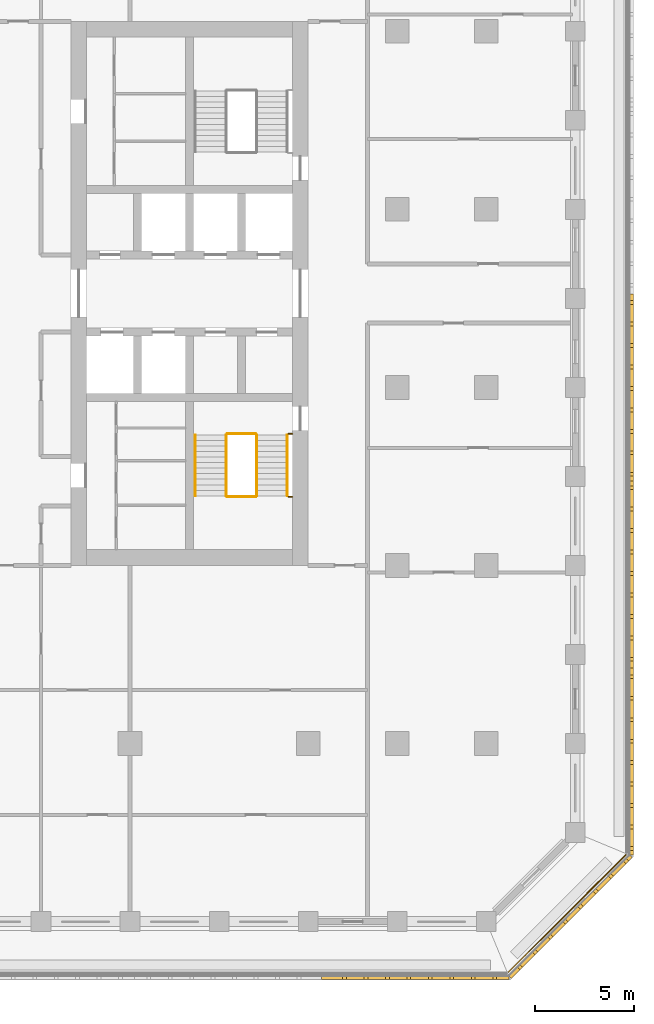
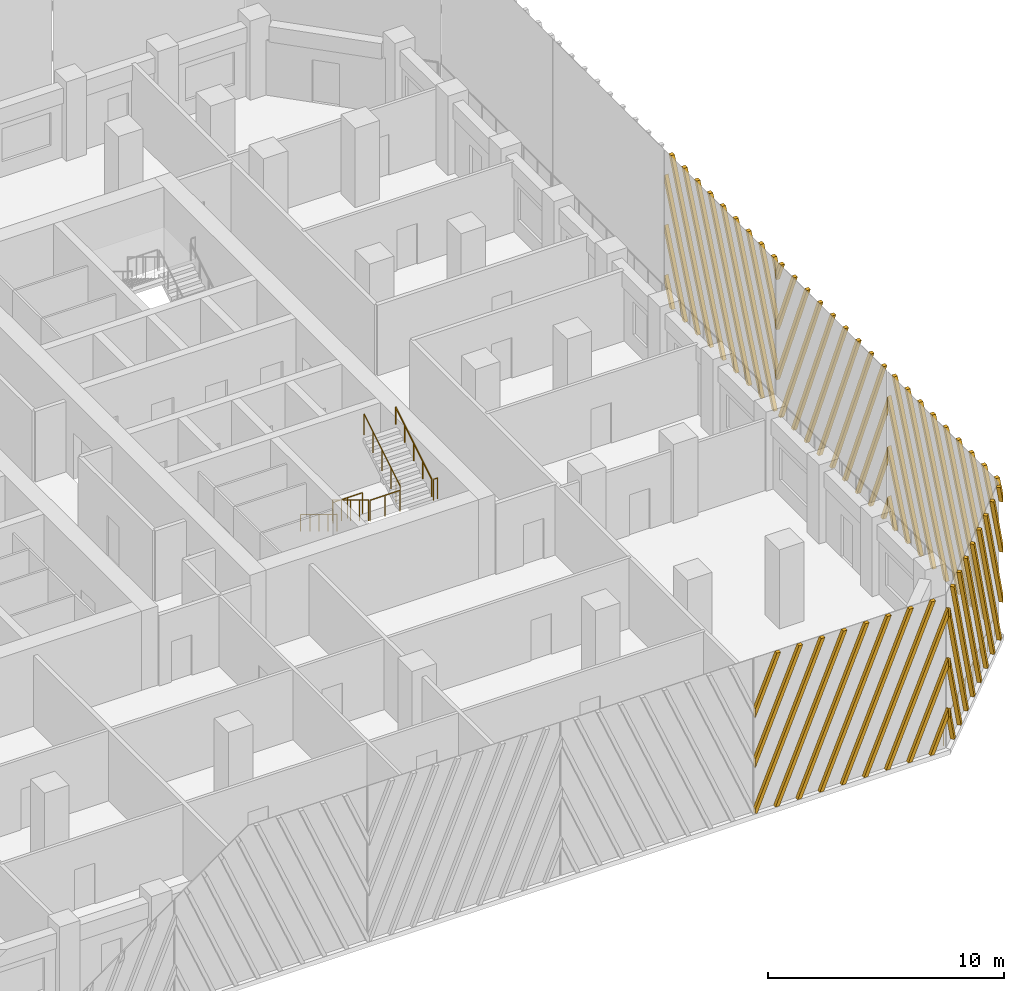
# One storey, part 12 of 17: 9 railings, 5 shading devices.
"""IFC4 building model written with IfcOpenShell, lengths in metres."""

import ifcopenshell
import ifcopenshell.guid

model = None  # the IFC model being written
_history = None  # IfcOwnerHistory: only IFC2X3 demands one
_inside = {}  # id of a spatial element -> (the spatial element, [elements in it])
_under = {}  # id of a project, library or spatial element -> (it, [spatial elements below it])
_declared = {}  # id of a project -> (the project, [libraries it declares])
_typed = {}  # id of a type object -> (the type object, [elements of that type])
_made_of = {}  # id of a material, layer set ... -> (it, [elements and type objects made of it])


def new_model(schema):
    """Start an empty IFC model of exactly this schema.

    Asked for "IFC4X3", IfcOpenShell would pick the latest addendum, in which some entities
    have other attributes; the version numbers below select the first issue.
    IFC2X3 requires an IfcOwnerHistory on every rooted entity: one is made here for all.
    """
    global model, _history
    if schema == "IFC4X3":
        model = ifcopenshell.file(schema_version=(4, 3, 0, 0))
    else:
        model = ifcopenshell.file(schema=schema)
    _inside.clear()
    _under.clear()
    _declared.clear()
    _typed.clear()
    _made_of.clear()
    _history = None
    if model.schema == "IFC2X3":
        org = make("IfcOrganization", Name="unknown")
        user = make(
            "IfcPersonAndOrganization",
            ThePerson=make("IfcPerson", FamilyName="unknown"),
            TheOrganization=org,
        )
        app = make(
            "IfcApplication",
            ApplicationDeveloper=org,
            Version="unknown",
            ApplicationFullName="unknown",
            ApplicationIdentifier="unknown",
        )
        _history = make(
            "IfcOwnerHistory",
            OwningUser=user,
            OwningApplication=app,
            ChangeAction="ADDED",
            CreationDate=0,
        )
    return model


def make(cls, **values):
    """One entity of the class cls with the attributes given. An attribute that is None is left unset."""
    return model.create_entity(
        cls, **{name: value for name, value in values.items() if value is not None}
    )


def rooted(cls, **values):
    """An entity with a GlobalId (a new one), such as an element, a storey or a relation."""
    return make(cls, GlobalId=ifcopenshell.guid.new(), OwnerHistory=_history, **values)


def si_unit(unit_type, name, prefix=None):
    """IfcSIUnit, for example si_unit("LENGTHUNIT", "METRE", prefix="MILLI")."""
    return make("IfcSIUnit", UnitType=unit_type, Prefix=prefix, Name=name)


def assignment(units):
    """IfcUnitAssignment: the units of a project."""
    return None if units is None else make("IfcUnitAssignment", Units=units)


def point(xyz):
    """IfcCartesianPoint."""
    return None if xyz is None else make("IfcCartesianPoint", Coordinates=xyz)


def direction(xyz):
    """IfcDirection."""
    return None if xyz is None else make("IfcDirection", DirectionRatios=xyz)


def frame(location, z_axis=None, x_axis=None):
    """IfcAxis2Placement3D, a coordinate frame: its origin and axes. An axis left out is left unset."""
    return make(
        "IfcAxis2Placement3D",
        Location=point(location),
        Axis=direction(z_axis),
        RefDirection=direction(x_axis),
    )


def frame_2d(location, x_axis=None):
    """IfcAxis2Placement2D, a coordinate frame in the plane: its origin and x axis."""
    return make(
        "IfcAxis2Placement2D", Location=point(location), RefDirection=direction(x_axis)
    )


def origin():
    """The frame at (0, 0, 0) with its axes left unset."""
    return frame((0.0, 0.0, 0.0))


def origin_2d():
    """The frame at (0, 0) in the plane with its x axis left unset."""
    return frame_2d((0.0, 0.0))


def place(relative_to, where):
    """IfcLocalPlacement: puts the frame where relative to a parent placement (None: the world)."""
    return make(
        "IfcLocalPlacement", PlacementRelTo=relative_to, RelativePlacement=where
    )


def context(
    kind, dimensions, precision=None, world=None, true_north=None, identifier=None
):
    """IfcGeometricRepresentationContext, for example the 3D "Model" context."""
    return make(
        "IfcGeometricRepresentationContext",
        ContextIdentifier=identifier,
        ContextType=kind,
        CoordinateSpaceDimension=dimensions,
        Precision=precision,
        WorldCoordinateSystem=world,
        TrueNorth=true_north,
    )


def subcontext(parent, identifier, kind, view, scale=None):
    """IfcGeometricRepresentationSubContext, for example "Body" below "Model"."""
    return make(
        "IfcGeometricRepresentationSubContext",
        ContextIdentifier=identifier,
        ContextType=kind,
        ParentContext=parent,
        TargetScale=scale,
        TargetView=view,
    )


def project(units=None, contexts=None):
    """IfcProject with its units and contexts."""
    return rooted(
        "IfcProject",
        Name="project",
        RepresentationContexts=contexts,
        UnitsInContext=assignment(units),
    )


def spatial(cls, under=None, at=None, **own):
    """A site, building, storey or space (cls), placed at a placement, below another one or the project."""
    s = rooted(cls, ObjectPlacement=at, **own)
    if under is not None:
        _under.setdefault(under.id(), (under, []))[1].append(s)
    return s


def polyline(points):
    """IfcPolyline through the points."""
    return make("IfcPolyline", Points=[point(p) for p in points])


def profile(cls, at=None, kind="AREA", **sizes):
    """A parametric profile (cls). Its sizes go by their IFC names, for example OverallWidth=200.0."""
    return make(cls, ProfileType=kind, Position=at, **sizes)


def circle(**sizes):
    """IfcCircleProfileDef."""
    return profile("IfcCircleProfileDef", **sizes)


def outline(outer, holes=None, kind="AREA"):
    """IfcArbitraryClosedProfileDef: a profile drawn as a closed curve; with holes, ...WithVoids."""
    if holes is None:
        return make("IfcArbitraryClosedProfileDef", ProfileType=kind, OuterCurve=outer)
    return make(
        "IfcArbitraryProfileDefWithVoids",
        ProfileType=kind,
        OuterCurve=outer,
        InnerCurves=holes,
    )


def extrude(swept, where, along, depth):
    """IfcExtrudedAreaSolid: the profile swept, set in the frame where, extruded along a direction by depth."""
    return make(
        "IfcExtrudedAreaSolid",
        SweptArea=swept,
        Position=where,
        ExtrudedDirection=direction(along),
        Depth=depth,
    )


def shape(context_of_items, identifier, shape_type, items):
    """IfcShapeRepresentation: the items that make up one representation, for example the "Body"."""
    return make(
        "IfcShapeRepresentation",
        ContextOfItems=context_of_items,
        RepresentationIdentifier=identifier,
        RepresentationType=shape_type,
        Items=items,
    )


def source(mapping_origin, context_of_items, identifier, shape_type, items):
    """IfcRepresentationMap: a shape defined once, which mapped items show again and again."""
    return make(
        "IfcRepresentationMap",
        MappingOrigin=mapping_origin,
        MappedRepresentation=shape(context_of_items, identifier, shape_type, items),
    )


def transform(
    local_origin,
    x_axis=None,
    y_axis=None,
    z_axis=None,
    scale=None,
    scale2=None,
    scale3=None,
    uniform=True,
):
    """IfcCartesianTransformationOperator3D, or its non-uniform kind. x_axis, y_axis, z_axis: its Axis1, 2, 3."""
    if uniform:
        return make(
            "IfcCartesianTransformationOperator3D",
            Axis1=direction(x_axis),
            Axis2=direction(y_axis),
            LocalOrigin=point(local_origin),
            Scale=scale,
            Axis3=direction(z_axis),
        )
    return make(
        "IfcCartesianTransformationOperator3DnonUniform",
        Axis1=direction(x_axis),
        Axis2=direction(y_axis),
        LocalOrigin=point(local_origin),
        Scale=scale,
        Axis3=direction(z_axis),
        Scale2=scale2,
        Scale3=scale3,
    )


def mapped(mapping_source, mapping_target):
    """IfcMappedItem: shows the shape of a source again, moved by a transform."""
    return make(
        "IfcMappedItem", MappingSource=mapping_source, MappingTarget=mapping_target
    )


def material(Name=None, Category=None):
    """IfcMaterial."""
    return make("IfcMaterial", Name=Name, Category=Category)


def made_of(thing, what):
    """Note that an element or type object is made of a material, layer set ...; save() writes the relation."""
    if what is not None:
        _made_of.setdefault(what.id(), (what, []))[1].append(thing)
    return thing


def type_object(cls, material=None, **own):
    """A type object (cls), such as IfcWallType, which elements share."""
    return made_of(rooted(cls, **own), material)


def element(
    cls,
    number,
    at=None,
    inside=None,
    cuts=None,
    type_object=None,
    material=None,
    context=None,
    identifier="Body",
    shape_type=None,
    held_by="IfcProductDefinitionShape",
    body=None,
    shapes=None,
    **own,
):
    """One element of the class cls, such as IfcWall. Its Tag is "e" and its number.

    at: its placement. inside: the storey or other place that contains it. cuts: it is an
    opening in that element (IfcRelVoidsElement). A single representation is given by context,
    identifier, shape_type and body (its items); several are given by shapes. held_by: the class
    of the entity that holds the representations. save() writes the other relations.
    """
    e = rooted(cls, Tag="e%d" % number, ObjectPlacement=at, **own)
    if body is not None:
        shapes = [shape(context, identifier, shape_type, body)]
    if shapes is not None:
        e.Representation = make(held_by, Representations=shapes)
    if inside is not None:
        _inside.setdefault(inside.id(), (inside, []))[1].append(e)
    if cuts is not None:
        rooted(
            "IfcRelVoidsElement", RelatingBuildingElement=cuts, RelatedOpeningElement=e
        )
    if type_object is not None:
        _typed.setdefault(type_object.id(), (type_object, []))[1].append(e)
    return made_of(e, material)


def aggregate(whole, parts):
    """IfcRelAggregates: a whole, such as a stair, and the parts it consists of."""
    return rooted("IfcRelAggregates", RelatingObject=whole, RelatedObjects=parts)


def save(model, path):
    """Write the relations noted so far, then the file.

    IfcRelAggregates (storeys below a building ...), IfcRelContainedInSpatialStructure (elements
    in a storey), IfcRelDefinesByType, IfcRelAssociatesMaterial and IfcRelDeclares: one each for
    every whole, place, type object, material and project.
    """
    for whole, parts in _under.values():
        aggregate(whole, parts)
    for where, things in _inside.values():
        rooted(
            "IfcRelContainedInSpatialStructure",
            RelatedElements=things,
            RelatingStructure=where,
        )
    for kind, things in _typed.values():
        rooted("IfcRelDefinesByType", RelatedObjects=things, RelatingType=kind)
    for what, things in _made_of.values():
        rooted("IfcRelAssociatesMaterial", RelatedObjects=things, RelatingMaterial=what)
    for by, libraries in _declared.values():
        rooted("IfcRelDeclares", RelatingContext=by, RelatedDefinitions=libraries)
    model.write(path)


model = new_model("IFC4")

# Units and contexts
model_context = context("Model", 3, precision=1e-05, world=origin(), true_north=direction((0.0, 1.0)))
body_context = subcontext(model_context, "Body", "Model", "MODEL_VIEW")
ifc_project = project(units=[si_unit("LENGTHUNIT", "METRE"), si_unit("AREAUNIT", "SQUARE_METRE"), si_unit("VOLUMEUNIT", "CUBIC_METRE"), si_unit("PLANEANGLEUNIT", "RADIAN"), si_unit("MASSUNIT", "GRAM", prefix="KILO")], contexts=[model_context])

# Site, building, storey
site_placement = place(None, origin())
site = spatial("IfcSite", under=ifc_project, at=site_placement, CompositionType="ELEMENT")
building_placement = place(site_placement, origin())
building = spatial("IfcBuilding", under=site, at=building_placement, Name="Corbel Stack Research Tower", CompositionType="ELEMENT")
storey_placement = place(building_placement, frame((0.0, 0.0, 207.89990234375)))
storey = spatial("IfcBuildingStorey", under=building, at=storey_placement, Name="L47", CompositionType="ELEMENT", Elevation=207.89990234375)

# Railings
ifc_material_1 = material(Name="Steel S355", Category="steel")
railing_type_1 = type_object("IfcRailingType", Name="Stair guard 1100", PredefinedType="GUARDRAIL", material=ifc_material_1)
railing_1_placement = place(storey_placement, frame((13.85009765625, -2.39990234375, 0.1708984375)))
element("IfcRailing", 1, at=railing_1_placement, inside=storey, type_object=railing_type_1, Name="L47 ST-E1 stair guard 1", PredefinedType="GUARDRAIL", context=body_context, shape_type="SweptSolid", body=[
    extrude(circle(Radius=0.02392578125, at=origin_2d()), frame((0.0, 0.0, 1.076171875), z_axis=(0.0, -0.853666305674, 0.52082035152), x_axis=(1.0, 0.0, 0.0)), (0.0, 0.0, 1.0), 3.608154296875),
    extrude(circle(Radius=0.02099609375, at=origin_2d()), origin(), (0.0, 0.0, 1.0), 1.052001953125),
    extrude(circle(Radius=0.02099609375, at=origin_2d()), frame((0.0, -0.77001953125, 0.4697265625)), (0.0, 0.0, 1.0), 1.052001953125),
    extrude(circle(Radius=0.02099609375, at=origin_2d()), frame((0.0, -1.5400390625, 0.939453125)), (0.0, 0.0, 1.0), 1.052001953125),
    extrude(circle(Radius=0.02099609375, at=origin_2d()), frame((0.0, -2.31005859375, 1.409423828125)), (0.0, 0.0, 1.0), 1.052001953125),
    extrude(circle(Radius=0.02099609375, at=origin_2d()), frame((0.0, -3.080078125, 1.879150390625)), (0.0, 0.0, 1.0), 1.052001953125),
])
railing_2_placement = place(storey_placement, frame((13.89990234375, -5.530029296875, 2.050048828125)))
element("IfcRailing", 2, at=railing_2_placement, inside=storey, type_object=railing_type_1, Name="L47 ST-E1 stair guard 2", PredefinedType="GUARDRAIL", context=body_context, shape_type="SweptSolid", body=[
    extrude(circle(Radius=0.02392578125, at=origin_2d()), frame((0.0, 0.0, 1.076171875), z_axis=(1.0, 0.0, 0.0), x_axis=(0.0, 1.0, 0.0)), (0.0, 0.0, 1.0), 1.4501953125),
    extrude(circle(Radius=0.02099609375, at=origin_2d()), origin(), (0.0, 0.0, 1.0), 1.052001953125),
    extrude(circle(Radius=0.02099609375, at=origin_2d()), frame((0.72509765625, 0.0, 0.0)), (0.0, 0.0, 1.0), 1.052001953125),
    extrude(circle(Radius=0.02099609375, at=origin_2d()), frame((1.4501953125, 0.0, 0.0)), (0.0, 0.0, 1.0), 1.052001953125),
])
railing_3_placement = place(storey_placement, frame((17.0, -5.530029296875, 2.050048828125)))
element("IfcRailing", 3, at=railing_3_placement, inside=storey, type_object=railing_type_1, Name="L47 ST-E1 stair guard 3", PredefinedType="GUARDRAIL", context=body_context, shape_type="SweptSolid", body=[
    extrude(circle(Radius=0.02392578125, at=origin_2d()), frame((0.0, 0.0, 1.076171875), z_axis=(1.0, 0.0, 0.0), x_axis=(0.0, 1.0, 0.0)), (0.0, 0.0, 1.0), 0.199951171875),
    extrude(circle(Radius=0.02099609375, at=origin_2d()), origin(), (0.0, 0.0, 1.0), 1.052001953125),
    extrude(circle(Radius=0.02099609375, at=origin_2d()), frame((0.199951171875, 0.0, 0.0)), (0.0, 0.0, 1.0), 1.052001953125),
])
railing_4_placement = place(storey_placement, frame((15.39990234375, -5.47998046875, 2.220947265625)))
element("IfcRailing", 4, at=railing_4_placement, inside=storey, type_object=railing_type_1, Name="L47 ST-E1 stair guard 4", PredefinedType="GUARDRAIL", context=body_context, shape_type="SweptSolid", body=[
    extrude(circle(Radius=0.02392578125, at=origin_2d()), frame((0.0, 0.0, 1.076171875), z_axis=(0.0, 0.853666305674, 0.52082035152), x_axis=(-1.0, 0.0, 0.0)), (0.0, 0.0, 1.0), 3.608154296875),
    extrude(circle(Radius=0.02099609375, at=origin_2d()), origin(), (0.0, 0.0, 1.0), 1.052001953125),
    extrude(circle(Radius=0.02099609375, at=origin_2d()), frame((0.0, 0.77001953125, 0.4697265625)), (0.0, 0.0, 1.0), 1.052001953125),
    extrude(circle(Radius=0.02099609375, at=origin_2d()), frame((0.0, 1.5400390625, 0.939453125)), (0.0, 0.0, 1.0), 1.052001953125),
    extrude(circle(Radius=0.02099609375, at=origin_2d()), frame((0.0, 2.31005859375, 1.409423828125)), (0.0, 0.0, 1.0), 1.052001953125),
    extrude(circle(Radius=0.02099609375, at=origin_2d()), frame((0.0, 3.080078125, 1.879150390625)), (0.0, 0.0, 1.0), 1.052001953125),
])
railing_5_placement = place(storey_placement, frame((13.89990234375, -2.35009765625, 0.0)))
element("IfcRailing", 5, at=railing_5_placement, inside=storey, type_object=railing_type_1, Name="L47 ST-E1 stair guard 5", PredefinedType="GUARDRAIL", context=body_context, shape_type="SweptSolid", body=[
    extrude(circle(Radius=0.02392578125, at=origin_2d()), frame((0.0, 0.0, 1.076171875), z_axis=(1.0, 0.0, 0.0), x_axis=(0.0, 1.0, 0.0)), (0.0, 0.0, 1.0), 1.4501953125),
    extrude(circle(Radius=0.02099609375, at=origin_2d()), origin(), (0.0, 0.0, 1.0), 1.052001953125),
    extrude(circle(Radius=0.02099609375, at=origin_2d()), frame((0.72509765625, 0.0, 0.0)), (0.0, 0.0, 1.0), 1.052001953125),
    extrude(circle(Radius=0.02099609375, at=origin_2d()), frame((1.4501953125, 0.0, 0.0)), (0.0, 0.0, 1.0), 1.052001953125),
])
railing_6_placement = place(storey_placement, frame((17.0, -2.35009765625, 0.0)))
element("IfcRailing", 6, at=railing_6_placement, inside=storey, type_object=railing_type_1, Name="L47 ST-E1 stair guard 6", PredefinedType="GUARDRAIL", context=body_context, shape_type="SweptSolid", body=[
    extrude(circle(Radius=0.02392578125, at=origin_2d()), frame((0.0, 0.0, 1.076171875), z_axis=(1.0, 0.0, 0.0), x_axis=(0.0, 1.0, 0.0)), (0.0, 0.0, 1.0), 0.199951171875),
    extrude(circle(Radius=0.02099609375, at=origin_2d()), origin(), (0.0, 0.0, 1.0), 1.052001953125),
    extrude(circle(Radius=0.02099609375, at=origin_2d()), frame((0.199951171875, 0.0, 0.0)), (0.0, 0.0, 1.0), 1.052001953125),
])
ifc_material_2 = material(Name="Steel S355", Category="steel")
railing_type_2 = type_object("IfcRailingType", Name="Stair handrail 900", PredefinedType="HANDRAIL", material=ifc_material_2)
railing_7_placement = place(storey_placement, frame((12.300048828125, -2.39990234375, 0.1708984375)))
element("IfcRailing", 7, at=railing_7_placement, inside=storey, type_object=railing_type_2, Name="L47 ST-E1 stair handrail 1", PredefinedType="HANDRAIL", context=body_context, shape_type="SweptSolid", body=[
    extrude(circle(Radius=0.02392578125, at=origin_2d()), frame((0.0, 0.0, 0.8759765625), z_axis=(0.0, -0.853666305674, 0.52082035152), x_axis=(1.0, 0.0, 0.0)), (0.0, 0.0, 1.0), 3.608154296875),
    extrude(circle(Radius=0.02099609375, at=origin_2d()), origin(), (0.0, 0.0, 1.0), 0.851806640625),
    extrude(circle(Radius=0.02099609375, at=origin_2d()), frame((0.0, -0.77001953125, 0.4697265625)), (0.0, 0.0, 1.0), 0.851806640625),
    extrude(circle(Radius=0.02099609375, at=origin_2d()), frame((0.0, -1.5400390625, 0.939453125)), (0.0, 0.0, 1.0), 0.851806640625),
    extrude(circle(Radius=0.02099609375, at=origin_2d()), frame((0.0, -2.31005859375, 1.409423828125)), (0.0, 0.0, 1.0), 0.851806640625),
    extrude(circle(Radius=0.02099609375, at=origin_2d()), frame((0.0, -3.080078125, 1.879150390625)), (0.0, 0.0, 1.0), 0.851806640625),
])
railing_8_placement = place(storey_placement, frame((16.949951171875, -5.47998046875, 2.220947265625)))
element("IfcRailing", 8, at=railing_8_placement, inside=storey, type_object=railing_type_2, Name="L47 ST-E1 stair handrail 2", PredefinedType="HANDRAIL", context=body_context, shape_type="SweptSolid", body=[
    extrude(circle(Radius=0.02392578125, at=origin_2d()), frame((0.0, 0.0, 0.8759765625), z_axis=(0.0, 0.853666305674, 0.52082035152), x_axis=(-1.0, 0.0, 0.0)), (0.0, 0.0, 1.0), 3.608154296875),
    extrude(circle(Radius=0.02099609375, at=origin_2d()), origin(), (0.0, 0.0, 1.0), 0.851806640625),
    extrude(circle(Radius=0.02099609375, at=origin_2d()), frame((0.0, 0.77001953125, 0.4697265625)), (0.0, 0.0, 1.0), 0.851806640625),
    extrude(circle(Radius=0.02099609375, at=origin_2d()), frame((0.0, 1.5400390625, 0.939453125)), (0.0, 0.0, 1.0), 0.851806640625),
    extrude(circle(Radius=0.02099609375, at=origin_2d()), frame((0.0, 2.31005859375, 1.409423828125)), (0.0, 0.0, 1.0), 0.851806640625),
    extrude(circle(Radius=0.02099609375, at=origin_2d()), frame((0.0, 3.080078125, 1.879150390625)), (0.0, 0.0, 1.0), 0.851806640625),
])
ifc_material_3 = material(Name="Powder-coated steel guard", Category="steel")
railing_type_3 = type_object("IfcRailingType", Name="Steel and glass guard 1100", PredefinedType="GUARDRAIL", material=ifc_material_3)
railing_9_placement = place(storey_placement, frame((28.127685546875, -29.54931640625, 0.0)))
element("IfcRailing", 9, at=railing_9_placement, inside=storey, type_object=railing_type_3, Name="Loggia guard L47 SE", PredefinedType="GUARDRAIL", context=body_context, shape_type="SweptSolid", body=[
    extrude(circle(Radius=0.02392578125, at=origin_2d()), frame((0.0, 0.0, 1.076171875), z_axis=(0.707106781187, 0.707106781187, 0.0), x_axis=(-0.707106781187, 0.707106781187, 0.0)), (0.0, 0.0, 1.0), 8.37451171875),
    extrude(circle(Radius=0.02099609375, at=origin_2d()), origin(), (0.0, 0.0, 1.0), 1.052001953125),
    extrude(circle(Radius=0.02099609375, at=origin_2d()), frame((0.845947265625, 0.845947265625, 0.0)), (0.0, 0.0, 1.0), 1.052001953125),
    extrude(circle(Radius=0.02099609375, at=origin_2d()), frame((1.69189453125, 1.69189453125, 0.0)), (0.0, 0.0, 1.0), 1.052001953125),
    extrude(circle(Radius=0.02099609375, at=origin_2d()), frame((2.537841796875, 2.537841796875, 0.0)), (0.0, 0.0, 1.0), 1.052001953125),
    extrude(circle(Radius=0.02099609375, at=origin_2d()), frame((3.3837890625, 3.3837890625, 0.0)), (0.0, 0.0, 1.0), 1.052001953125),
    extrude(circle(Radius=0.02099609375, at=origin_2d()), frame((4.229736328125, 4.229736328125, 0.0)), (0.0, 0.0, 1.0), 1.052001953125),
    extrude(circle(Radius=0.02099609375, at=origin_2d()), frame((5.07568359375, 5.07568359375, 0.0)), (0.0, 0.0, 1.0), 1.052001953125),
    extrude(circle(Radius=0.02099609375, at=origin_2d()), frame((5.921630859375, 5.921630859375, 0.0)), (0.0, 0.0, 1.0), 1.052001953125),
])

# Shading devices
ifc_material_4 = material(Name="Precast terracotta", Category="masonry")
shading_device_type = type_object("IfcShadingDeviceType", Name="Terracotta screen panel", PredefinedType="USERDEFINED", material=ifc_material_4)
shared_shape_1 = source(origin(), body_context, "Body", "SweptSolid", [
    extrude(outline(polyline([(1.245849609375, 7.949951171875), (1.055908203125, 7.949951171875), (0.0, 5.421875), (0.0, 4.966796875), (1.245849609375, 7.949951171875)])), frame((0.0, 0.0, 0.0), z_axis=(0.0, -1.0, 0.0), x_axis=(1.0, 0.0, 0.0)), (0.0, 0.0, 1.0), 0.179931640625),
    extrude(outline(polyline([(2.33056640625, 7.949951171875), (2.140380859375, 7.949951171875), (0.0, 2.82470703125), (0.0, 2.36962890625), (2.33056640625, 7.949951171875)])), frame((0.0, 0.0, 0.0), z_axis=(0.0, -1.0, 0.0), x_axis=(1.0, 0.0, 0.0)), (0.0, 0.0, 1.0), 0.179931640625),
    extrude(outline(polyline([(0.094970703125, 0.0), (3.415283203125, 7.949951171875), (3.22509765625, 7.949951171875), (0.0, 0.2275390625), (0.0, 0.0), (0.094970703125, 0.0)])), frame((0.0, 0.0, 0.0), z_axis=(0.0, -1.0, 0.0), x_axis=(1.0, 0.0, 0.0)), (0.0, 0.0, 1.0), 0.179931640625),
    extrude(outline(polyline([(1.1796875, 0.0), (4.499755859375, 7.949951171875), (4.309814453125, 7.949951171875), (0.98974609375, 0.0), (1.1796875, 0.0)])), frame((0.0, 0.0, 0.0), z_axis=(0.0, -1.0, 0.0), x_axis=(1.0, 0.0, 0.0)), (0.0, 0.0, 1.0), 0.179931640625),
    extrude(outline(polyline([(2.264404296875, 0.0), (5.58447265625, 7.949951171875), (5.39453125, 7.949951171875), (2.07421875, 0.0), (2.264404296875, 0.0)])), frame((0.0, 0.0, 0.0), z_axis=(0.0, -1.0, 0.0), x_axis=(1.0, 0.0, 0.0)), (0.0, 0.0, 1.0), 0.179931640625),
    extrude(outline(polyline([(3.34912109375, 0.0), (6.669189453125, 7.949951171875), (6.479248046875, 7.949951171875), (3.158935546875, 0.0), (3.34912109375, 0.0)])), frame((0.0, 0.0, 0.0), z_axis=(0.0, -1.0, 0.0), x_axis=(1.0, 0.0, 0.0)), (0.0, 0.0, 1.0), 0.179931640625),
    extrude(outline(polyline([(4.43359375, 0.0), (7.75390625, 7.949951171875), (7.563720703125, 7.949951171875), (4.24365234375, 0.0), (4.43359375, 0.0)])), frame((0.0, 0.0, 0.0), z_axis=(0.0, -1.0, 0.0), x_axis=(1.0, 0.0, 0.0)), (0.0, 0.0, 1.0), 0.179931640625),
    extrude(outline(polyline([(5.518310546875, 0.0), (8.83837890625, 7.949951171875), (8.6484375, 7.949951171875), (5.328369140625, 0.0), (5.518310546875, 0.0)])), frame((0.0, 0.0, 0.0), z_axis=(0.0, -1.0, 0.0), x_axis=(1.0, 0.0, 0.0)), (0.0, 0.0, 1.0), 0.179931640625),
    extrude(outline(polyline([(6.60302734375, 0.0), (9.45556640625, 6.83056640625), (9.45556640625, 7.285400390625), (6.4130859375, 0.0), (6.60302734375, 0.0)])), frame((0.0, 0.0, 0.0), z_axis=(0.0, -1.0, 0.0), x_axis=(1.0, 0.0, 0.0)), (0.0, 0.0, 1.0), 0.179931640625),
    extrude(outline(polyline([(7.687744140625, 0.0), (9.45556640625, 4.2333984375), (9.45556640625, 4.688232421875), (7.497802734375, 0.0), (7.687744140625, 0.0)])), frame((0.0, 0.0, 0.0), z_axis=(0.0, -1.0, 0.0), x_axis=(1.0, 0.0, 0.0)), (0.0, 0.0, 1.0), 0.179931640625),
    extrude(outline(polyline([(8.772216796875, 0.0), (9.45556640625, 1.635986328125), (9.45556640625, 2.091064453125), (8.582275390625, 0.0), (8.772216796875, 0.0)])), frame((0.0, 0.0, 0.0), z_axis=(0.0, -1.0, 0.0), x_axis=(1.0, 0.0, 0.0)), (0.0, 0.0, 1.0), 0.179931640625),
])
shading_device_1_placement = place(storey_placement, frame((18.68359375, -29.75, 0.0), z_axis=(0.0, 0.0, 1.0), x_axis=(1.0, 0.0, 0.0)))
element("IfcShadingDevice", 10, at=shading_device_1_placement, inside=storey, type_object=shading_device_type, Name="Terracotta screen L47 S5", ObjectType="SCREEN", PredefinedType="USERDEFINED", context=body_context, shape_type="MappedRepresentation", body=[
    mapped(shared_shape_1, transform((0.0, 0.0, 0.0))),
])
shared_shape_2 = source(origin(), body_context, "Body", "SweptSolid", [
    extrude(outline(polyline([(0.873291015625, 0.0), (0.0, 2.091064453125), (0.0, 1.635986328125), (0.683349609375, 0.0), (0.873291015625, 0.0)])), frame((0.0, 0.0, 0.0), z_axis=(0.0, -1.0, 0.0), x_axis=(1.0, 0.0, 0.0)), (0.0, 0.0, 1.0), 0.179931640625),
    extrude(outline(polyline([(1.9580078125, 0.0), (0.0, 4.688232421875), (0.0, 4.2333984375), (1.76806640625, 0.0), (1.9580078125, 0.0)])), frame((0.0, 0.0, 0.0), z_axis=(0.0, -1.0, 0.0), x_axis=(1.0, 0.0, 0.0)), (0.0, 0.0, 1.0), 0.179931640625),
    extrude(outline(polyline([(3.04248046875, 0.0), (0.0, 7.285400390625), (0.0, 6.83056640625), (2.8525390625, 0.0), (3.04248046875, 0.0)])), frame((0.0, 0.0, 0.0), z_axis=(0.0, -1.0, 0.0), x_axis=(1.0, 0.0, 0.0)), (0.0, 0.0, 1.0), 0.179931640625),
    extrude(outline(polyline([(4.127197265625, 0.0), (0.80712890625, 7.949951171875), (0.6171875, 7.949951171875), (3.937255859375, 0.0), (4.127197265625, 0.0)])), frame((0.0, 0.0, 0.0), z_axis=(0.0, -1.0, 0.0), x_axis=(1.0, 0.0, 0.0)), (0.0, 0.0, 1.0), 0.179931640625),
    extrude(outline(polyline([(5.2119140625, 0.0), (1.891845703125, 7.949951171875), (1.701904296875, 7.949951171875), (5.02197265625, 0.0), (5.2119140625, 0.0)])), frame((0.0, 0.0, 0.0), z_axis=(0.0, -1.0, 0.0), x_axis=(1.0, 0.0, 0.0)), (0.0, 0.0, 1.0), 0.179931640625),
    extrude(outline(polyline([(6.296630859375, 0.0), (2.9765625, 7.949951171875), (2.78662109375, 7.949951171875), (6.106689453125, 0.0), (6.296630859375, 0.0)])), frame((0.0, 0.0, 0.0), z_axis=(0.0, -1.0, 0.0), x_axis=(1.0, 0.0, 0.0)), (0.0, 0.0, 1.0), 0.179931640625),
    extrude(outline(polyline([(7.38134765625, 0.0), (4.06103515625, 7.949951171875), (3.87109375, 7.949951171875), (7.19140625, 0.0), (7.38134765625, 0.0)])), frame((0.0, 0.0, 0.0), z_axis=(0.0, -1.0, 0.0), x_axis=(1.0, 0.0, 0.0)), (0.0, 0.0, 1.0), 0.179931640625),
    extrude(outline(polyline([(8.466064453125, 0.0), (5.145751953125, 7.949951171875), (4.955810546875, 7.949951171875), (8.27587890625, 0.0), (8.466064453125, 0.0)])), frame((0.0, 0.0, 0.0), z_axis=(0.0, -1.0, 0.0), x_axis=(1.0, 0.0, 0.0)), (0.0, 0.0, 1.0), 0.179931640625),
    extrude(outline(polyline([(6.23046875, 7.949951171875), (6.04052734375, 7.949951171875), (8.64208984375, 1.720458984375), (8.64208984375, 2.17529296875), (6.23046875, 7.949951171875)])), frame((0.0, 0.0, 0.0), z_axis=(0.0, -1.0, 0.0), x_axis=(1.0, 0.0, 0.0)), (0.0, 0.0, 1.0), 0.179931640625),
    extrude(outline(polyline([(7.315185546875, 7.949951171875), (7.125, 7.949951171875), (8.64208984375, 4.317626953125), (8.64208984375, 4.7724609375), (7.315185546875, 7.949951171875)])), frame((0.0, 0.0, 0.0), z_axis=(0.0, -1.0, 0.0), x_axis=(1.0, 0.0, 0.0)), (0.0, 0.0, 1.0), 0.179931640625),
    extrude(outline(polyline([(8.39990234375, 7.949951171875), (8.209716796875, 7.949951171875), (8.64208984375, 6.914794921875), (8.64208984375, 7.36962890625), (8.39990234375, 7.949951171875)])), frame((0.0, 0.0, 0.0), z_axis=(0.0, -1.0, 0.0), x_axis=(1.0, 0.0, 0.0)), (0.0, 0.0, 1.0), 0.179931640625),
])
shading_device_2_placement = place(storey_placement, frame((28.13916015625, -29.75, 0.0), z_axis=(0.0, 0.0, 1.0), x_axis=(0.707106781187, 0.707106781187, 0.0)))
element("IfcShadingDevice", 11, at=shading_device_2_placement, inside=storey, type_object=shading_device_type, Name="Terracotta screen L47 SE1", ObjectType="SCREEN", PredefinedType="USERDEFINED", context=body_context, shape_type="MappedRepresentation", body=[
    mapped(shared_shape_2, transform((0.0, 0.0, 0.0))),
])
shared_shape_3 = source(origin(), body_context, "Body", "SweptSolid", [
    extrude(outline(polyline([(0.432373046875, 7.949951171875), (0.2421875, 7.949951171875), (0.0, 7.36962890625), (0.0, 6.914794921875), (0.432373046875, 7.949951171875)])), frame((0.0, 0.0, 0.0), z_axis=(0.0, -1.0, 0.0), x_axis=(1.0, 0.0, 0.0)), (0.0, 0.0, 1.0), 0.179931640625),
    extrude(outline(polyline([(1.51708984375, 7.949951171875), (1.326904296875, 7.949951171875), (0.0, 4.7724609375), (0.0, 4.317626953125), (1.51708984375, 7.949951171875)])), frame((0.0, 0.0, 0.0), z_axis=(0.0, -1.0, 0.0), x_axis=(1.0, 0.0, 0.0)), (0.0, 0.0, 1.0), 0.179931640625),
    extrude(outline(polyline([(2.601806640625, 7.949951171875), (2.41162109375, 7.949951171875), (0.0, 2.17529296875), (0.0, 1.720458984375), (2.601806640625, 7.949951171875)])), frame((0.0, 0.0, 0.0), z_axis=(0.0, -1.0, 0.0), x_axis=(1.0, 0.0, 0.0)), (0.0, 0.0, 1.0), 0.179931640625),
    extrude(outline(polyline([(0.3662109375, 0.0), (3.686279296875, 7.949951171875), (3.496337890625, 7.949951171875), (0.17626953125, 0.0), (0.3662109375, 0.0)])), frame((0.0, 0.0, 0.0), z_axis=(0.0, -1.0, 0.0), x_axis=(1.0, 0.0, 0.0)), (0.0, 0.0, 1.0), 0.179931640625),
    extrude(outline(polyline([(1.45068359375, 0.0), (4.77099609375, 7.949951171875), (4.5810546875, 7.949951171875), (1.2607421875, 0.0), (1.45068359375, 0.0)])), frame((0.0, 0.0, 0.0), z_axis=(0.0, -1.0, 0.0), x_axis=(1.0, 0.0, 0.0)), (0.0, 0.0, 1.0), 0.179931640625),
    extrude(outline(polyline([(2.535400390625, 0.0), (5.855712890625, 7.949951171875), (5.665771484375, 7.949951171875), (2.345458984375, 0.0), (2.535400390625, 0.0)])), frame((0.0, 0.0, 0.0), z_axis=(0.0, -1.0, 0.0), x_axis=(1.0, 0.0, 0.0)), (0.0, 0.0, 1.0), 0.179931640625),
    extrude(outline(polyline([(3.6201171875, 0.0), (6.940185546875, 7.949951171875), (6.750244140625, 7.949951171875), (3.43017578125, 0.0), (3.6201171875, 0.0)])), frame((0.0, 0.0, 0.0), z_axis=(0.0, -1.0, 0.0), x_axis=(1.0, 0.0, 0.0)), (0.0, 0.0, 1.0), 0.179931640625),
    extrude(outline(polyline([(4.704833984375, 0.0), (8.02490234375, 7.949951171875), (7.8349609375, 7.949951171875), (4.514892578125, 0.0), (4.704833984375, 0.0)])), frame((0.0, 0.0, 0.0), z_axis=(0.0, -1.0, 0.0), x_axis=(1.0, 0.0, 0.0)), (0.0, 0.0, 1.0), 0.179931640625),
    extrude(outline(polyline([(5.78955078125, 0.0), (9.109619140625, 7.949951171875), (8.919677734375, 7.949951171875), (5.599609375, 0.0), (5.78955078125, 0.0)])), frame((0.0, 0.0, 0.0), z_axis=(0.0, -1.0, 0.0), x_axis=(1.0, 0.0, 0.0)), (0.0, 0.0, 1.0), 0.179931640625),
    extrude(outline(polyline([(6.874267578125, 0.0), (9.45556640625, 6.18115234375), (9.45556640625, 6.63623046875), (6.68408203125, 0.0), (6.874267578125, 0.0)])), frame((0.0, 0.0, 0.0), z_axis=(0.0, -1.0, 0.0), x_axis=(1.0, 0.0, 0.0)), (0.0, 0.0, 1.0), 0.179931640625),
    extrude(outline(polyline([(7.958740234375, 0.0), (9.45556640625, 3.583984375), (9.45556640625, 4.0390625), (7.768798828125, 0.0), (7.958740234375, 0.0)])), frame((0.0, 0.0, 0.0), z_axis=(0.0, -1.0, 0.0), x_axis=(1.0, 0.0, 0.0)), (0.0, 0.0, 1.0), 0.179931640625),
    extrude(outline(polyline([(9.04345703125, 0.0), (9.45556640625, 0.98681640625), (9.45556640625, 1.44189453125), (8.853515625, 0.0), (9.04345703125, 0.0)])), frame((0.0, 0.0, 0.0), z_axis=(0.0, -1.0, 0.0), x_axis=(1.0, 0.0, 0.0)), (0.0, 0.0, 1.0), 0.179931640625),
])
for number, where, z_axis, x_axis, name in (
    (12, (34.25, -23.63916015625, 0.0), (0.0, 0.0, 1.0), (0.0, 1.0, 0.0), "Terracotta screen L47 E1"),
    (13, (34.25, -4.727783203125, 0.0), (0.0, 0.0, 1.0), (0.0, 1.0, 0.0), "Terracotta screen L47 E3"),
):
    element("IfcShadingDevice", number, at=place(storey_placement, frame(where, z_axis=z_axis, x_axis=x_axis)), inside=storey, type_object=shading_device_type, Name=name, ObjectType="SCREEN", PredefinedType="USERDEFINED", context=body_context, shape_type="MappedRepresentation", body=[
        mapped(shared_shape_3, transform((0.0, 0.0, 0.0))),
    ])
shared_shape_4 = source(origin(), body_context, "Body", "SweptSolid", [
    extrude(outline(polyline([(0.60205078125, 0.0), (0.0, 1.44189453125), (0.0, 0.98681640625), (0.412109375, 0.0), (0.60205078125, 0.0)])), frame((0.0, 0.0, 0.0), z_axis=(0.0, -1.0, 0.0), x_axis=(1.0, 0.0, 0.0)), (0.0, 0.0, 1.0), 0.179931640625),
    extrude(outline(polyline([(1.686767578125, 0.0), (0.0, 4.0390625), (0.0, 3.583984375), (1.496826171875, 0.0), (1.686767578125, 0.0)])), frame((0.0, 0.0, 0.0), z_axis=(0.0, -1.0, 0.0), x_axis=(1.0, 0.0, 0.0)), (0.0, 0.0, 1.0), 0.179931640625),
    extrude(outline(polyline([(2.771484375, 0.0), (0.0, 6.63623046875), (0.0, 6.18115234375), (2.58154296875, 0.0), (2.771484375, 0.0)])), frame((0.0, 0.0, 0.0), z_axis=(0.0, -1.0, 0.0), x_axis=(1.0, 0.0, 0.0)), (0.0, 0.0, 1.0), 0.179931640625),
    extrude(outline(polyline([(3.856201171875, 0.0), (0.535888671875, 7.949951171875), (0.345947265625, 7.949951171875), (3.666015625, 0.0), (3.856201171875, 0.0)])), frame((0.0, 0.0, 0.0), z_axis=(0.0, -1.0, 0.0), x_axis=(1.0, 0.0, 0.0)), (0.0, 0.0, 1.0), 0.179931640625),
    extrude(outline(polyline([(4.94091796875, 0.0), (1.62060546875, 7.949951171875), (1.4306640625, 7.949951171875), (4.750732421875, 0.0), (4.94091796875, 0.0)])), frame((0.0, 0.0, 0.0), z_axis=(0.0, -1.0, 0.0), x_axis=(1.0, 0.0, 0.0)), (0.0, 0.0, 1.0), 0.179931640625),
    extrude(outline(polyline([(6.025390625, 0.0), (2.705322265625, 7.949951171875), (2.515380859375, 7.949951171875), (5.83544921875, 0.0), (6.025390625, 0.0)])), frame((0.0, 0.0, 0.0), z_axis=(0.0, -1.0, 0.0), x_axis=(1.0, 0.0, 0.0)), (0.0, 0.0, 1.0), 0.179931640625),
    extrude(outline(polyline([(7.110107421875, 0.0), (3.7900390625, 7.949951171875), (3.60009765625, 7.949951171875), (6.920166015625, 0.0), (7.110107421875, 0.0)])), frame((0.0, 0.0, 0.0), z_axis=(0.0, -1.0, 0.0), x_axis=(1.0, 0.0, 0.0)), (0.0, 0.0, 1.0), 0.179931640625),
    extrude(outline(polyline([(8.19482421875, 0.0), (4.87451171875, 7.949951171875), (4.6845703125, 7.949951171875), (8.0048828125, 0.0), (8.19482421875, 0.0)])), frame((0.0, 0.0, 0.0), z_axis=(0.0, -1.0, 0.0), x_axis=(1.0, 0.0, 0.0)), (0.0, 0.0, 1.0), 0.179931640625),
    extrude(outline(polyline([(9.279541015625, 0.0), (5.959228515625, 7.949951171875), (5.769287109375, 7.949951171875), (9.089599609375, 0.0), (9.279541015625, 0.0)])), frame((0.0, 0.0, 0.0), z_axis=(0.0, -1.0, 0.0), x_axis=(1.0, 0.0, 0.0)), (0.0, 0.0, 1.0), 0.179931640625),
    extrude(outline(polyline([(7.0439453125, 7.949951171875), (6.85400390625, 7.949951171875), (9.45556640625, 1.720458984375), (9.45556640625, 2.17529296875), (7.0439453125, 7.949951171875)])), frame((0.0, 0.0, 0.0), z_axis=(0.0, -1.0, 0.0), x_axis=(1.0, 0.0, 0.0)), (0.0, 0.0, 1.0), 0.179931640625),
    extrude(outline(polyline([(8.128662109375, 7.949951171875), (7.938720703125, 7.949951171875), (9.45556640625, 4.317626953125), (9.45556640625, 4.7724609375), (8.128662109375, 7.949951171875)])), frame((0.0, 0.0, 0.0), z_axis=(0.0, -1.0, 0.0), x_axis=(1.0, 0.0, 0.0)), (0.0, 0.0, 1.0), 0.179931640625),
    extrude(outline(polyline([(9.21337890625, 7.949951171875), (9.023193359375, 7.949951171875), (9.45556640625, 6.914794921875), (9.45556640625, 7.36962890625), (9.21337890625, 7.949951171875)])), frame((0.0, 0.0, 0.0), z_axis=(0.0, -1.0, 0.0), x_axis=(1.0, 0.0, 0.0)), (0.0, 0.0, 1.0), 0.179931640625),
])
shading_device_3_placement = place(storey_placement, frame((34.25, -14.18359375, 0.0), z_axis=(0.0, 0.0, 1.0), x_axis=(0.0, 1.0, 0.0)))
element("IfcShadingDevice", 14, at=shading_device_3_placement, inside=storey, type_object=shading_device_type, Name="Terracotta screen L47 E2", ObjectType="SCREEN", PredefinedType="USERDEFINED", context=body_context, shape_type="MappedRepresentation", body=[
    mapped(shared_shape_4, transform((0.0, 0.0, 0.0))),
])

save(model, "model.ifc")
